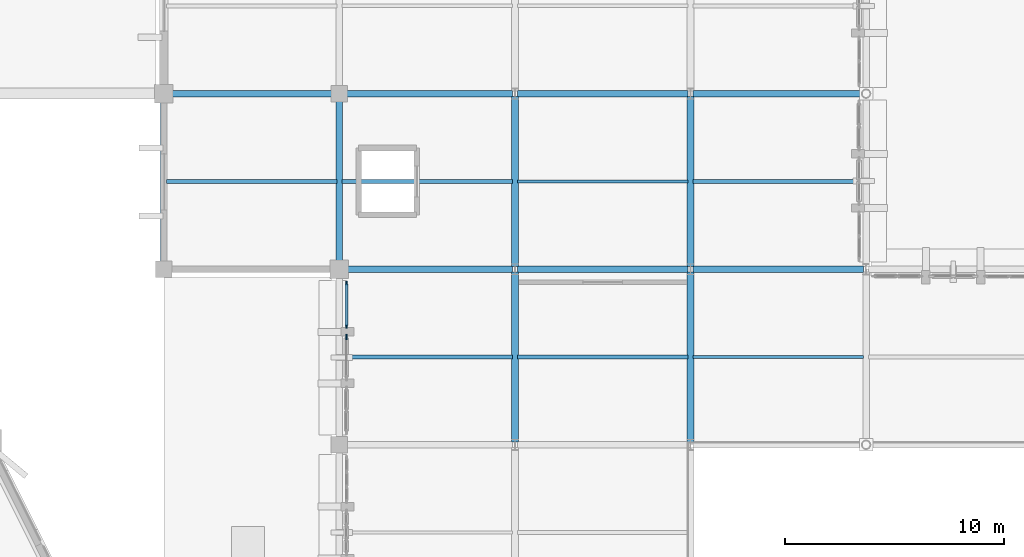
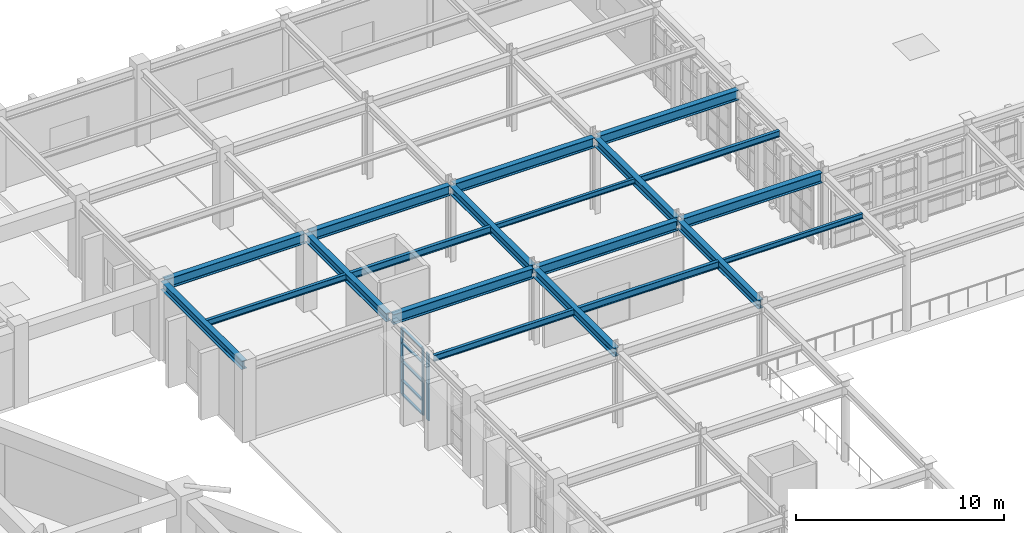
# One storey, part 42 of 155: 20 beams, 8 members, 2 elements without a shape of their own.
"""IFC4 building model written with IfcOpenShell, lengths in metres."""

from ifc_helpers import new_model, si_unit, direction, frame, origin, origin_2d, place, context, subcontext, project, spatial, rectangle, i_section, extrude, material, layer, layer_set, material_profile, profile_set, type_object, element, aggregate, save


model = new_model("IFC4")

# Units and contexts
model_context = context("Model", 3, precision=1e-05, world=origin(), true_north=direction((0.0, 1.0)))
body_context = subcontext(model_context, "Body", "Model", "MODEL_VIEW")
ifc_project = project(units=[si_unit("LENGTHUNIT", "METRE"), si_unit("AREAUNIT", "SQUARE_METRE"), si_unit("VOLUMEUNIT", "CUBIC_METRE"), si_unit("PLANEANGLEUNIT", "RADIAN"), si_unit("MASSUNIT", "GRAM", prefix="KILO")], contexts=[model_context])

# Site, building, storey
site_placement = place(None, origin())
site = spatial("IfcSite", under=ifc_project, at=site_placement, CompositionType="ELEMENT")
building_placement = place(site_placement, origin())
building = spatial("IfcBuilding", under=site, at=building_placement, Name="Tazarka Park Arena", CompositionType="ELEMENT")
storey_placement = place(building_placement, frame((0.0, 0.0, 5.39990234375)))
storey = spatial("IfcBuildingStorey", under=building, at=storey_placement, Name="L01", CompositionType="ELEMENT", Elevation=5.39990234375)

# Beams
ifc_material_1 = material(Name="Steel S355", Category="steel")
ifc_material_profile_1 = material_profile(ifc_material_1, i_section(OverallWidth=0.300048828125, OverallDepth=0.590087890625, WebThickness=0.012939453125, FlangeThickness=0.02490234375, FilletRadius=0.027099609375, at=origin_2d()), Name="Steel S355")
ifc_profile_set_1 = profile_set([ifc_material_profile_1], Name="Steel S355")
beam_type_1 = type_object("IfcBeamType", Name="BM-B-07", PredefinedType="BEAM", material=ifc_profile_set_1)
for number, where, z_axis, x_axis, name in (
    (1, (128.1201171875, 112.0, 4.125), (1.0, 0.0, 0.0), (0.0, 1.0, 0.0), "GXM-L01-16-14"),
    (2, (136.1201171875, 104.0, 4.125), (1.0, 0.0, 0.0), (0.0, 1.0, 0.0), "GXM-L01-17-13"),
    (3, (136.1201171875, 112.0, 4.125), (1.0, 0.0, 0.0), (0.0, 1.0, 0.0), "GXM-L01-17-14"),
    (4, (144.1201171875, 104.0, 4.125), (1.0, 0.0, 0.0), (0.0, 1.0, 0.0), "GXM-L01-18-13"),
    (5, (144.1201171875, 112.0, 4.125), (1.0, 0.0, 0.0), (0.0, 1.0, 0.0), "GXM-L01-18-14"),
    (6, (152.1201171875, 104.0, 4.125), (1.0, 0.0, 0.0), (0.0, 1.0, 0.0), "GXM-L01-19-13"),
    (7, (152.1201171875, 112.0, 4.125), (1.0, 0.0, 0.0), (0.0, 1.0, 0.0), "GXM-L01-19-14"),
):
    element("IfcBeam", number, at=place(storey_placement, frame(where, z_axis=z_axis, x_axis=x_axis)), inside=storey, type_object=beam_type_1, Name=name, PredefinedType="BEAM", context=body_context, shape_type="SweptSolid", body=[
        extrude(i_section(OverallWidth=0.300048828125, OverallDepth=0.590087890625, WebThickness=0.012939453125, FlangeThickness=0.02490234375, FilletRadius=0.027099609375, at=origin_2d()), origin(), (0.0, 0.0, 1.0), 7.759765625),
    ])
ifc_material_2 = material(Name="Steel S355", Category="steel")
ifc_material_profile_2 = material_profile(ifc_material_2, i_section(OverallWidth=0.300048828125, OverallDepth=0.5, WebThickness=0.014404296875, FlangeThickness=0.028076171875, FilletRadius=0.027099609375, at=origin_2d()), Name="Steel S355")
ifc_profile_set_2 = profile_set([ifc_material_profile_2], Name="Steel S355")
beam_type_2 = type_object("IfcBeamType", Name="BM-B-08", PredefinedType="BEAM", material=ifc_profile_set_2)
for number, where, z_axis, x_axis, name in (
    (8, (136.0, 104.1201171875, 4.170166015625), (0.0, 1.0, 0.0), (-1.0, 0.0, 0.0), "GYM-L01-17-13"),
    (9, (144.0, 96.1201171875, 4.170166015625), (0.0, 1.0, 0.0), (-1.0, 0.0, 0.0), "GYM-L01-18-12"),
    (10, (144.0, 104.1201171875, 4.170166015625), (0.0, 1.0, 0.0), (-1.0, 0.0, 0.0), "GYM-L01-18-13"),
    (11, (152.0, 96.1201171875, 4.170166015625), (0.0, 1.0, 0.0), (-1.0, 0.0, 0.0), "GYM-L01-19-12"),
    (12, (152.0, 104.1201171875, 4.170166015625), (0.0, 1.0, 0.0), (-1.0, 0.0, 0.0), "GYM-L01-19-13"),
):
    element("IfcBeam", number, at=place(storey_placement, frame(where, z_axis=z_axis, x_axis=x_axis)), inside=storey, type_object=beam_type_2, Name=name, PredefinedType="BEAM", context=body_context, shape_type="SweptSolid", body=[
        extrude(i_section(OverallWidth=0.300048828125, OverallDepth=0.5, WebThickness=0.014404296875, FlangeThickness=0.028076171875, FilletRadius=0.027099609375, at=origin_2d()), origin(), (0.0, 0.0, 1.0), 7.759765625),
    ])
ifc_material_3 = material(Name="Steel S355", Category="steel")
ifc_material_profile_3 = material_profile(ifc_material_3, i_section(OverallWidth=0.14990234375, OverallDepth=0.300048828125, WebThickness=0.007080078125, FlangeThickness=0.0107421875, FilletRadius=0.014892578125, at=origin_2d()), Name="Steel S355")
ifc_profile_set_3 = profile_set([ifc_material_profile_3], Name="Steel S355")
beam_type_3 = type_object("IfcBeamType", Name="BM-J-01", PredefinedType="JOIST", material=ifc_profile_set_3)
for number, where, z_axis, x_axis, name in (
    (13, (144.1201171875, 108.0, 4.27001953125), (1.0, 0.0, 0.0), (0.0, 1.0, 0.0), "JST-L01-18-13"),
    (14, (152.1201171875, 100.0, 4.27001953125), (1.0, 0.0, 0.0), (0.0, 1.0, 0.0), "JST-L01-19-12"),
):
    element("IfcBeam", number, at=place(storey_placement, frame(where, z_axis=z_axis, x_axis=x_axis)), inside=storey, type_object=beam_type_3, Name=name, PredefinedType="JOIST", context=body_context, shape_type="SweptSolid", body=[
        extrude(i_section(OverallWidth=0.14990234375, OverallDepth=0.300048828125, WebThickness=0.007080078125, FlangeThickness=0.0107421875, FilletRadius=0.014892578125, at=origin_2d()), origin(), (0.0, 0.0, 1.0), 7.759765625),
    ])
ifc_material_4 = material(Name="Steel S355", Category="steel")
ifc_material_profile_4 = material_profile(ifc_material_4, i_section(OverallWidth=0.169921875, OverallDepth=0.360107421875, WebThickness=0.008056640625, FlangeThickness=0.0126953125, FilletRadius=0.01806640625, at=origin_2d()), Name="Steel S355")
ifc_profile_set_4 = profile_set([ifc_material_profile_4], Name="Steel S355")
beam_type_4 = type_object("IfcBeamType", Name="BM-J-02", PredefinedType="JOIST", material=ifc_profile_set_4)
for number, where, z_axis, x_axis, name in (
    (15, (128.1201171875, 108.0, 4.239990234375), (1.0, 0.0, 0.0), (0.0, 1.0, 0.0), "JST-L01-16-13"),
    (16, (136.1201171875, 100.0, 4.239990234375), (1.0, 0.0, 0.0), (0.0, 1.0, 0.0), "JST-L01-17-12"),
    (17, (152.1201171875, 108.0, 4.239990234375), (1.0, 0.0, 0.0), (0.0, 1.0, 0.0), "JST-L01-19-13"),
):
    element("IfcBeam", number, at=place(storey_placement, frame(where, z_axis=z_axis, x_axis=x_axis)), inside=storey, type_object=beam_type_4, Name=name, PredefinedType="JOIST", context=body_context, shape_type="SweptSolid", body=[
        extrude(i_section(OverallWidth=0.169921875, OverallDepth=0.360107421875, WebThickness=0.008056640625, FlangeThickness=0.0126953125, FilletRadius=0.01806640625, at=origin_2d()), origin(), (0.0, 0.0, 1.0), 7.759765625),
    ])
ifc_material_5 = material(Name="Steel S355", Category="steel")
ifc_material_profile_5 = material_profile(ifc_material_5, i_section(OverallWidth=0.179931640625, OverallDepth=0.39990234375, WebThickness=0.008544921875, FlangeThickness=0.013427734375, FilletRadius=0.02099609375, at=origin_2d()), Name="Steel S355")
ifc_profile_set_5 = profile_set([ifc_material_profile_5], Name="Steel S355")
beam_type_5 = type_object("IfcBeamType", Name="BM-J-03", PredefinedType="JOIST", material=ifc_profile_set_5)
for number, where, z_axis, x_axis, name in (
    (18, (136.1201171875, 108.0, 4.22021484375), (1.0, 0.0, 0.0), (0.0, 1.0, 0.0), "JST-L01-17-13"),
    (19, (144.1201171875, 100.0, 4.22021484375), (1.0, 0.0, 0.0), (0.0, 1.0, 0.0), "JST-L01-18-12"),
):
    element("IfcBeam", number, at=place(storey_placement, frame(where, z_axis=z_axis, x_axis=x_axis)), inside=storey, type_object=beam_type_5, Name=name, PredefinedType="JOIST", context=body_context, shape_type="SweptSolid", body=[
        extrude(i_section(OverallWidth=0.179931640625, OverallDepth=0.39990234375, WebThickness=0.008544921875, FlangeThickness=0.013427734375, FilletRadius=0.02099609375, at=origin_2d()), origin(), (0.0, 0.0, 1.0), 7.759765625),
    ])
ifc_material_6 = material(Name="Steel S355", Category="steel")
ifc_material_profile_6 = material_profile(ifc_material_6, i_section(OverallWidth=0.300048828125, OverallDepth=0.489990234375, WebThickness=0.011962890625, FlangeThickness=0.02294921875, FilletRadius=0.027099609375, at=origin_2d()), Name="Steel S355")
ifc_profile_set_6 = profile_set([ifc_material_profile_6], Name="Steel S355")
beam_type_6 = type_object("IfcBeamType", Name="BM-SP-02", PredefinedType="SPANDREL", material=ifc_profile_set_6)
beam_placement = place(storey_placement, frame((128.0, 104.1201171875, 4.175048828125), z_axis=(0.0, 1.0, 0.0), x_axis=(-1.0, 0.0, 0.0)))
element("IfcBeam", 20, at=beam_placement, inside=storey, type_object=beam_type_6, Name="GYM-L01-16-13", PredefinedType="SPANDREL", context=body_context, shape_type="SweptSolid", body=[
    extrude(i_section(OverallWidth=0.300048828125, OverallDepth=0.489990234375, WebThickness=0.011962890625, FlangeThickness=0.02294921875, FilletRadius=0.027099609375, at=origin_2d()), origin(), (0.0, 0.0, 1.0), 7.759765625),
])

# Curtain wall, members
ifc_material_7 = material(Name="Aluminium and low-e glass", Category="aluminium")
ifc_layer_1 = layer(ifc_material_7, 0.179931640625, Name="Aluminium and low-e glass")
ifc_layer_set_1 = layer_set([ifc_layer_1], Name="Aluminium and low-e glass")
curtain_wall_type_1 = type_object("IfcCurtainWallType", Name="CW-30", PredefinedType="NOTDEFINED", material=ifc_layer_set_1)
curtain_wall_1_placement = place(storey_placement, origin())
curtain_wall_1 = element("IfcCurtainWall", 21, at=curtain_wall_1_placement, inside=storey, type_object=curtain_wall_type_1, Name="Curtain Wall CWA-L01-150", PredefinedType="NOTDEFINED")
ifc_material_8 = material(Name="Aluminium 6060-T66", Category="aluminium")
ifc_material_profile_7 = material_profile(ifc_material_8, rectangle(XDim=0.06494140625, YDim=0.179931640625, at=origin_2d()), Name="Aluminium 6060-T66")
ifc_profile_set_7 = profile_set([ifc_material_profile_7], Name="Aluminium 6060-T66")
member_type_1 = type_object("IfcMemberType", Name="CWM-01", PredefinedType="MULLION", material=ifc_profile_set_7)
member_1_placement = place(storey_placement, frame((136.320068359375, 101.390869140625, 0.0), z_axis=(0.0, 0.0, 1.0), x_axis=(-1.0, 0.0, 0.0)))
member_1 = element("IfcMember", 22, at=member_1_placement, type_object=member_type_1, Name="CW-30 mullion 1", PredefinedType="MULLION", context=body_context, shape_type="SweptSolid", body=[
    extrude(rectangle(XDim=0.06494140625, YDim=0.179931640625, at=origin_2d()), origin(), (0.0, 0.0, 1.0), 3.91015625),
])
member_2_placement = place(storey_placement, frame((136.320068359375, 103.362548828125, 0.0), z_axis=(0.0, 0.0, 1.0), x_axis=(-1.0, 0.0, 0.0)))
member_2 = element("IfcMember", 23, at=member_2_placement, type_object=member_type_1, Name="CW-30 mullion 2", PredefinedType="MULLION", context=body_context, shape_type="SweptSolid", body=[
    extrude(rectangle(XDim=0.06494140625, YDim=0.179931640625, at=origin_2d()), origin(), (0.0, 0.0, 1.0), 3.91015625),
])

# Curtain wall, member
ifc_material_9 = material(Name="Aluminium and low-e glass", Category="aluminium")
ifc_layer_2 = layer(ifc_material_9, 0.179931640625, Name="Aluminium and low-e glass")
ifc_layer_set_2 = layer_set([ifc_layer_2], Name="Aluminium and low-e glass")
curtain_wall_type_2 = type_object("IfcCurtainWallType", Name="CW-29", PredefinedType="NOTDEFINED", material=ifc_layer_set_2)
curtain_wall_2_placement = place(storey_placement, origin())
curtain_wall_2 = element("IfcCurtainWall", 24, at=curtain_wall_2_placement, inside=storey, type_object=curtain_wall_type_2, Name="Curtain Wall CWA-L01-149", PredefinedType="NOTDEFINED")
ifc_material_10 = material(Name="Aluminium 6060-T66", Category="aluminium")
ifc_material_profile_8 = material_profile(ifc_material_10, rectangle(XDim=0.074951171875, YDim=0.25, at=origin_2d()), Name="Aluminium 6060-T66")
ifc_profile_set_8 = profile_set([ifc_material_profile_8], Name="Aluminium 6060-T66")
member_type_2 = type_object("IfcMemberType", Name="CWM-03", PredefinedType="MULLION", material=ifc_profile_set_8)
member_3_placement = place(storey_placement, frame((136.320068359375, 100.90087890625, 0.0), z_axis=(0.0, 0.0, 1.0), x_axis=(-1.0, 0.0, 0.0)))
member_3 = element("IfcMember", 25, at=member_3_placement, type_object=member_type_2, Name="CW-29 mullion 2", PredefinedType="MULLION", context=body_context, shape_type="SweptSolid", body=[
    extrude(rectangle(XDim=0.074951171875, YDim=0.25, at=origin_2d()), origin(), (0.0, 0.0, 1.0), 3.91015625),
])
aggregate(curtain_wall_2, [member_3])

# Member
ifc_material_11 = material(Name="Aluminium 6060-T66", Category="aluminium")
ifc_material_profile_9 = material_profile(ifc_material_11, rectangle(XDim=0.139892578125, YDim=0.06494140625, at=origin_2d()), Name="Aluminium 6060-T66")
ifc_profile_set_9 = profile_set([ifc_material_profile_9], Name="Aluminium 6060-T66")
member_type_3 = type_object("IfcMemberType", Name="CWT-01", PredefinedType="USERDEFINED", material=ifc_profile_set_9)
member_4_placement = place(storey_placement, frame((136.320068359375, 101.42333984375, 0.03271484375), z_axis=(0.0, 1.0, 0.0), x_axis=(-1.0, 0.0, 0.0)))
member_4 = element("IfcMember", 26, at=member_4_placement, type_object=member_type_3, Name="CW-30 transom 1.1", ObjectType="TRANSOM", PredefinedType="USERDEFINED", context=body_context, shape_type="SweptSolid", body=[
    extrude(rectangle(XDim=0.139892578125, YDim=0.06494140625, at=origin_2d()), origin(), (0.0, 0.0, 1.0), 1.90673828125),
])

member_5_placement = place(storey_placement, frame((136.320068359375, 101.42333984375, 0.85009765625), z_axis=(0.0, 1.0, 0.0), x_axis=(-1.0, 0.0, 0.0)))
member_5 = element("IfcMember", 27, at=member_5_placement, type_object=member_type_3, Name="CW-30 transom 1.2", ObjectType="TRANSOM", PredefinedType="USERDEFINED", context=body_context, shape_type="SweptSolid", body=[
    extrude(rectangle(XDim=0.139892578125, YDim=0.06494140625, at=origin_2d()), origin(), (0.0, 0.0, 1.0), 1.90673828125),
])

member_6_placement = place(storey_placement, frame((136.320068359375, 101.42333984375, 1.9501953125), z_axis=(0.0, 1.0, 0.0), x_axis=(-1.0, 0.0, 0.0)))
member_6 = element("IfcMember", 28, at=member_6_placement, type_object=member_type_3, Name="CW-30 transom 1.3", ObjectType="TRANSOM", PredefinedType="USERDEFINED", context=body_context, shape_type="SweptSolid", body=[
    extrude(rectangle(XDim=0.139892578125, YDim=0.06494140625, at=origin_2d()), origin(), (0.0, 0.0, 1.0), 1.90673828125),
])

member_7_placement = place(storey_placement, frame((136.320068359375, 101.42333984375, 3.050048828125), z_axis=(0.0, 1.0, 0.0), x_axis=(-1.0, 0.0, 0.0)))
member_7 = element("IfcMember", 29, at=member_7_placement, type_object=member_type_3, Name="CW-30 transom 1.4", ObjectType="TRANSOM", PredefinedType="USERDEFINED", context=body_context, shape_type="SweptSolid", body=[
    extrude(rectangle(XDim=0.139892578125, YDim=0.06494140625, at=origin_2d()), origin(), (0.0, 0.0, 1.0), 1.90673828125),
])

member_8_placement = place(storey_placement, frame((136.320068359375, 101.42333984375, 3.877685546875), z_axis=(0.0, 1.0, 0.0), x_axis=(-1.0, 0.0, 0.0)))
member_8 = element("IfcMember", 30, at=member_8_placement, type_object=member_type_3, Name="CW-30 transom 1.5", ObjectType="TRANSOM", PredefinedType="USERDEFINED", context=body_context, shape_type="SweptSolid", body=[
    extrude(rectangle(XDim=0.139892578125, YDim=0.06494140625, at=origin_2d()), origin(), (0.0, 0.0, 1.0), 1.90673828125),
])

aggregate(curtain_wall_1, [member_1, member_2, member_4, member_5, member_6, member_7, member_8])

save(model, "model.ifc")
